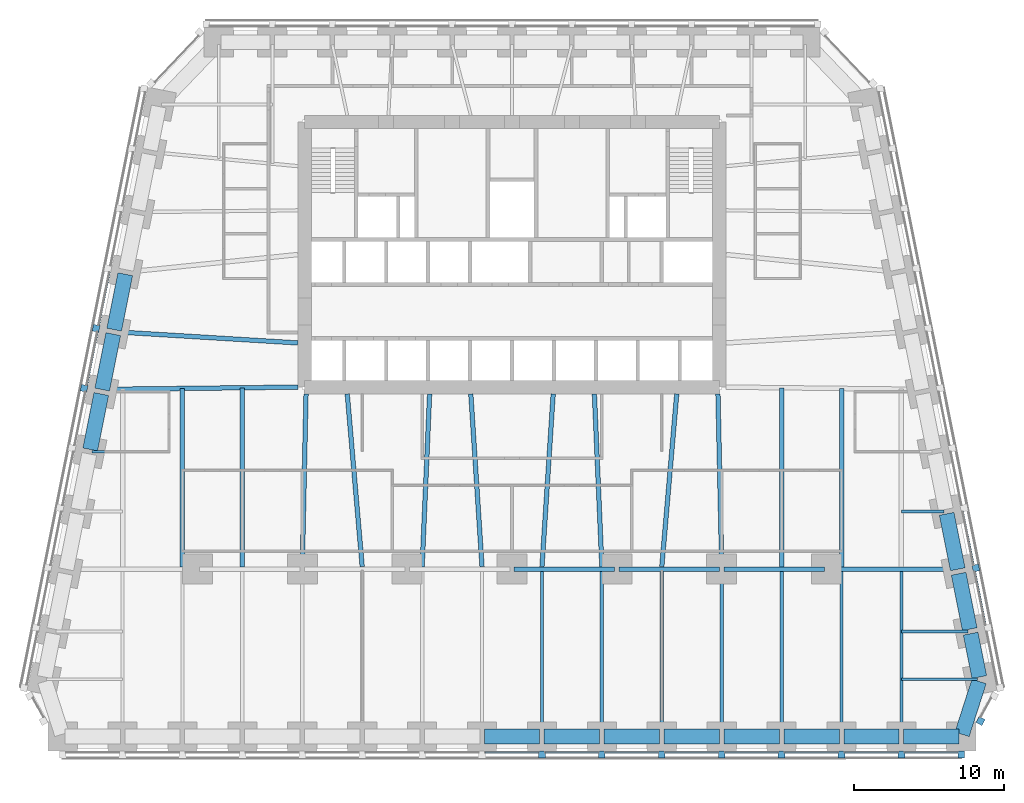
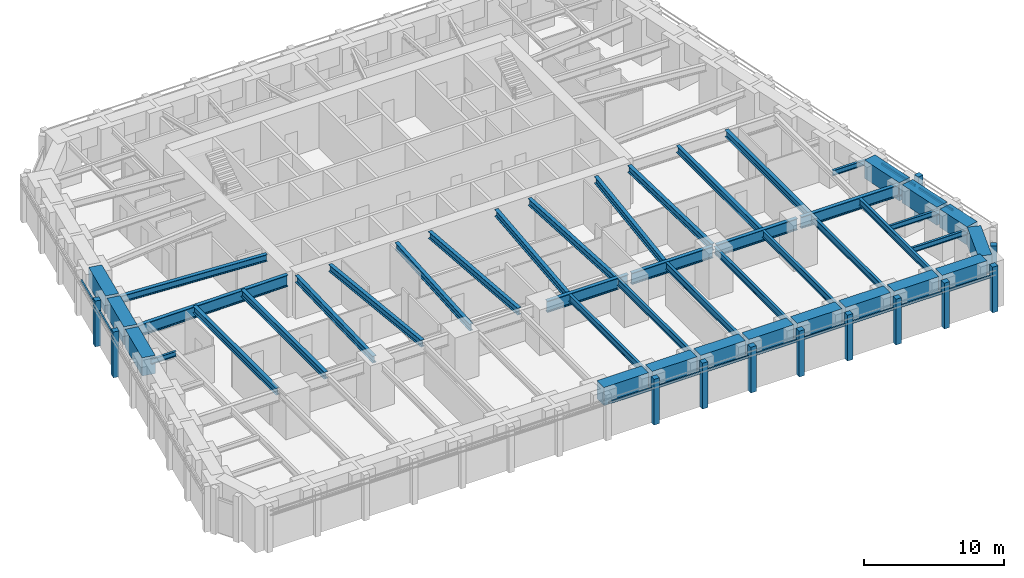
# One storey, part 2 of 10: 44 beams, 24 members, 4 elements without a shape of their own.
"""IFC4 building model written with IfcOpenShell, lengths in metres."""

from ifc_helpers import new_model, si_unit, direction, frame, origin, origin_2d, place, context, subcontext, project, spatial, rectangle, i_section, extrude, material, material_profile, profile_set, type_object, element, aggregate, save


model = new_model("IFC4")

# Units and contexts
model_context = context("Model", 3, precision=1e-05, world=origin(), true_north=direction((0.0, 1.0)))
body_context = subcontext(model_context, "Body", "Model", "MODEL_VIEW")
ifc_project = project(units=[si_unit("LENGTHUNIT", "METRE"), si_unit("AREAUNIT", "SQUARE_METRE"), si_unit("VOLUMEUNIT", "CUBIC_METRE"), si_unit("PLANEANGLEUNIT", "RADIAN"), si_unit("MASSUNIT", "GRAM", prefix="KILO")], contexts=[model_context])

# Site, building, storey
site_placement = place(None, origin())
site = spatial("IfcSite", under=ifc_project, at=site_placement, CompositionType="ELEMENT")
building_placement = place(site_placement, origin())
building = spatial("IfcBuilding", under=site, at=building_placement, Name="Isbrekke Arena Tower", CompositionType="ELEMENT")
storey_placement = place(building_placement, frame((0.0, 0.0, 80.0)))
storey = spatial("IfcBuildingStorey", under=building, at=storey_placement, Name="L17", CompositionType="ELEMENT", Elevation=80.0)

# Beams
ifc_material_1 = material(Name="Steel S355", Category="steel")
ifc_material_profile_1 = material_profile(ifc_material_1, i_section(OverallWidth=0.219970703125, OverallDepth=0.60009765625, WebThickness=0.011962890625, FlangeThickness=0.01904296875, FilletRadius=0.02392578125, at=origin_2d()), Name="IPE 600")
ifc_profile_set_1 = profile_set([ifc_material_profile_1], Name="Steel S355")
beam_type_1 = type_object("IfcBeamType", Name="B1 IPE 600", PredefinedType="BEAM", material=ifc_profile_set_1)
for number, where, z_axis, x_axis, name in (
    (1, (2.0, -17.02490234375, 3.550048828125), (0.0, 1.0, 0.0), (-1.0, 0.0, 0.0), "B1 beam S-S09 L17"),
    (2, (6.0, -17.02490234375, 3.550048828125), (0.0, 1.0, 0.0), (-1.0, 0.0, 0.0), "B1 beam S-S10 L17"),
    (3, (10.0, -17.02490234375, 3.550048828125), (0.0, 1.0, 0.0), (-1.0, 0.0, 0.0), "B1 beam S-S11 L17"),
):
    element("IfcBeam", number, at=place(storey_placement, frame(where, z_axis=z_axis, x_axis=x_axis)), inside=storey, type_object=beam_type_1, Name=name, PredefinedType="BEAM", context=body_context, shape_type="SweptSolid", body=[
        extrude(i_section(OverallWidth=0.219970703125, OverallDepth=0.60009765625, WebThickness=0.011962890625, FlangeThickness=0.01904296875, FilletRadius=0.02392578125, at=origin_2d()), origin(), (0.0, 0.0, 1.0), 10.8740234375),
    ])
beam_1_placement = place(storey_placement, frame((14.0, -17.02490234375, 3.550048828125), z_axis=(0.0, 1.0, 0.0), x_axis=(-1.0, 0.0, 0.0)))
element("IfcBeam", 4, at=beam_1_placement, inside=storey, type_object=beam_type_1, Name="B1 beam S-S12 L17", PredefinedType="BEAM", context=body_context, shape_type="SweptSolid", body=[
    extrude(i_section(OverallWidth=0.219970703125, OverallDepth=0.60009765625, WebThickness=0.011962890625, FlangeThickness=0.01904296875, FilletRadius=0.02392578125, at=origin_2d()), origin(), (0.0, 0.0, 1.0), 10.875),
])
for number, where, z_axis, x_axis, name in (
    (5, (18.0, -17.02490234375, 3.550048828125), (0.0, 1.0, 0.0), (-1.0, 0.0, 0.0), "B1 beam S-S13 L17"),
    (6, (22.0, -17.02490234375, 3.550048828125), (0.0, 1.0, 0.0), (-1.0, 0.0, 0.0), "B1 beam S-S14 L17"),
    (7, (26.0, -17.02490234375, 3.550048828125), (0.0, 1.0, 0.0), (-1.0, 0.0, 0.0), "B1 beam S-S15 L17"),
):
    element("IfcBeam", number, at=place(storey_placement, frame(where, z_axis=z_axis, x_axis=x_axis)), inside=storey, type_object=beam_type_1, Name=name, PredefinedType="BEAM", context=body_context, shape_type="SweptSolid", body=[
        extrude(i_section(OverallWidth=0.219970703125, OverallDepth=0.60009765625, WebThickness=0.011962890625, FlangeThickness=0.01904296875, FilletRadius=0.02392578125, at=origin_2d()), origin(), (0.0, 0.0, 1.0), 10.8740234375),
    ])
ifc_material_2 = material(Name="Steel S355", Category="steel")
ifc_material_profile_2 = material_profile(ifc_material_2, i_section(OverallWidth=0.18994140625, OverallDepth=0.449951171875, WebThickness=0.009521484375, FlangeThickness=0.0146484375, FilletRadius=0.02099609375, at=origin_2d()), Name="IPE 450")
ifc_profile_set_2 = profile_set([ifc_material_profile_2], Name="Steel S355")
beam_type_2 = type_object("IfcBeamType", Name="B2 IPE 450", PredefinedType="BEAM", material=ifc_profile_set_2)
beam_2_placement = place(storey_placement, frame((31.079345703125, -13.352783203125, 3.625), z_axis=(-1.0, 0.0, 0.0), x_axis=(0.0, -1.0, 0.0)))
element("IfcBeam", 8, at=beam_2_placement, inside=storey, type_object=beam_type_2, Name="B2 beam E-E01 L17", PredefinedType="BEAM", context=body_context, shape_type="SweptSolid", body=[
    extrude(i_section(OverallWidth=0.18994140625, OverallDepth=0.449951171875, WebThickness=0.009521484375, FlangeThickness=0.0146484375, FilletRadius=0.02099609375, at=origin_2d()), origin(), (0.0, 0.0, 1.0), 5.079345703125),
])
beam_3_placement = place(storey_placement, frame((30.44091796875, -10.161865234375, 3.625), z_axis=(-1.0, 0.0, 0.0), x_axis=(0.0, -1.0, 0.0)))
element("IfcBeam", 9, at=beam_3_placement, inside=storey, type_object=beam_type_2, Name="B2 beam E-E02 L17", PredefinedType="BEAM", context=body_context, shape_type="SweptSolid", body=[
    extrude(i_section(OverallWidth=0.18994140625, OverallDepth=0.449951171875, WebThickness=0.009521484375, FlangeThickness=0.0146484375, FilletRadius=0.02099609375, at=origin_2d()), origin(), (0.0, 0.0, 1.0), 4.44091796875),
])
beam_4_placement = place(storey_placement, frame((28.841064453125, -2.161865234375, 3.625), z_axis=(-1.0, 0.0, 0.0), x_axis=(0.0, -1.0, 0.0)))
element("IfcBeam", 10, at=beam_4_placement, inside=storey, type_object=beam_type_2, Name="B2 beam E-E04 L17", PredefinedType="BEAM", context=body_context, shape_type="SweptSolid", body=[
    extrude(i_section(OverallWidth=0.18994140625, OverallDepth=0.449951171875, WebThickness=0.009521484375, FlangeThickness=0.0146484375, FilletRadius=0.02099609375, at=origin_2d()), origin(), (0.0, 0.0, 1.0), 2.841064453125),
])
beam_5_placement = place(storey_placement, frame((-28.041015625, 1.838134765625, 3.625), z_axis=(1.0, 0.0, 0.0), x_axis=(0.0, 1.0, 0.0)))
element("IfcBeam", 11, at=beam_5_placement, inside=storey, type_object=beam_type_2, Name="B2 beam E-W07 L17", PredefinedType="BEAM", context=body_context, shape_type="SweptSolid", body=[
    extrude(i_section(OverallWidth=0.18994140625, OverallDepth=0.449951171875, WebThickness=0.009521484375, FlangeThickness=0.0146484375, FilletRadius=0.02099609375, at=origin_2d()), origin(), (0.0, 0.0, 1.0), 2.041015625),
])
ifc_material_3 = material(Name="Steel S355", Category="steel")
ifc_material_profile_3 = material_profile(ifc_material_3, i_section(OverallWidth=0.300048828125, OverallDepth=0.60009765625, WebThickness=0.015380859375, FlangeThickness=0.030029296875, FilletRadius=0.027099609375, at=origin_2d()), Name="HEB 600")
ifc_profile_set_3 = profile_set([ifc_material_profile_3], Name="Steel S355")
beam_type_3 = type_object("IfcBeamType", Name="B7 HEB 600", PredefinedType="BEAM", material=ifc_profile_set_3)
beam_6_placement = place(storey_placement, frame((-22.0, -5.84912109375, 3.550048828125), z_axis=(0.0, 1.0, 0.0), x_axis=(-1.0, 0.0, 0.0)))
element("IfcBeam", 12, at=beam_6_placement, inside=storey, type_object=beam_type_3, Name="B7 beam C-M02 L17", PredefinedType="BEAM", context=body_context, shape_type="SweptSolid", body=[
    extrude(i_section(OverallWidth=0.300048828125, OverallDepth=0.60009765625, WebThickness=0.015380859375, FlangeThickness=0.030029296875, FilletRadius=0.027099609375, at=origin_2d()), origin(), (0.0, 0.0, 1.0), 11.910888671875),
])
beam_7_placement = place(storey_placement, frame((-18.0, -5.84912109375, 3.550048828125), z_axis=(0.0, 1.0, 0.0), x_axis=(-1.0, 0.0, 0.0)))
element("IfcBeam", 13, at=beam_7_placement, inside=storey, type_object=beam_type_3, Name="B7 beam C-M03 L17", PredefinedType="BEAM", context=body_context, shape_type="SweptSolid", body=[
    extrude(i_section(OverallWidth=0.300048828125, OverallDepth=0.60009765625, WebThickness=0.015380859375, FlangeThickness=0.030029296875, FilletRadius=0.027099609375, at=origin_2d()), origin(), (0.0, 0.0, 1.0), 11.956787109375),
])
beam_8_placement = place(storey_placement, frame((-14.0, -5.8466796875, 3.550048828125), z_axis=(0.021646264273, 0.999765692171, 0.0), x_axis=(-0.999765692171, 0.021646264273, 0.0)))
element("IfcBeam", 14, at=beam_8_placement, inside=storey, type_object=beam_type_3, Name="B7 beam C-M04 L17", PredefinedType="BEAM", context=body_context, shape_type="SweptSolid", body=[
    extrude(i_section(OverallWidth=0.300048828125, OverallDepth=0.60009765625, WebThickness=0.015380859375, FlangeThickness=0.030029296875, FilletRadius=0.027099609375, at=origin_2d()), origin(), (0.0, 0.0, 1.0), 11.54931640625),
])
beam_9_placement = place(storey_placement, frame((-10.001220703125, -5.836181640625, 3.550048828125), z_axis=(-0.086255671377, 0.996273034442, 0.0), x_axis=(-0.996273034442, -0.086255671377, 0.0)))
element("IfcBeam", 15, at=beam_9_placement, inside=storey, type_object=beam_type_3, Name="B7 beam C-M05 L17", PredefinedType="BEAM", context=body_context, shape_type="SweptSolid", body=[
    extrude(i_section(OverallWidth=0.300048828125, OverallDepth=0.60009765625, WebThickness=0.015380859375, FlangeThickness=0.030029296875, FilletRadius=0.027099609375, at=origin_2d()), origin(), (0.0, 0.0, 1.0), 11.579345703125),
])
beam_10_placement = place(storey_placement, frame((-5.999755859375, -5.842529296875, 3.550048828125), z_axis=(0.04325656756, 0.99906399663, 0.0), x_axis=(-0.99906399663, 0.04325656756, 0.0)))
element("IfcBeam", 16, at=beam_10_placement, inside=storey, type_object=beam_type_3, Name="B7 beam C-M06 L17", PredefinedType="BEAM", context=body_context, shape_type="SweptSolid", body=[
    extrude(i_section(OverallWidth=0.300048828125, OverallDepth=0.60009765625, WebThickness=0.015380859375, FlangeThickness=0.030029296875, FilletRadius=0.027099609375, at=origin_2d()), origin(), (0.0, 0.0, 1.0), 11.55322265625),
])
for number, where, z_axis, x_axis, name in (
    (17, (-2.000732421875, -5.83935546875, 3.550048828125), (-0.064795318476, 0.997898575359, 0.0), (-0.997898575359, -0.064795318476, 0.0), "B7 beam C-M07 L17"),
    (18, (2.000732421875, -5.83935546875, 3.550048828125), (0.064795318476, 0.997898575359, 0.0), (-0.997898575359, 0.064795318476, 0.0), "B7 beam C-M08 L17"),
):
    element("IfcBeam", number, at=place(storey_placement, frame(where, z_axis=z_axis, x_axis=x_axis)), inside=storey, type_object=beam_type_3, Name=name, PredefinedType="BEAM", context=body_context, shape_type="SweptSolid", body=[
        extrude(i_section(OverallWidth=0.300048828125, OverallDepth=0.60009765625, WebThickness=0.015380859375, FlangeThickness=0.030029296875, FilletRadius=0.027099609375, at=origin_2d()), origin(), (0.0, 0.0, 1.0), 11.563720703125),
    ])
beam_11_placement = place(storey_placement, frame((5.999755859375, -5.842529296875, 3.550048828125), z_axis=(-0.04325656756, 0.99906399663, 0.0), x_axis=(-0.99906399663, -0.04325656756, 0.0)))
element("IfcBeam", 19, at=beam_11_placement, inside=storey, type_object=beam_type_3, Name="B7 beam C-M09 L17", PredefinedType="BEAM", context=body_context, shape_type="SweptSolid", body=[
    extrude(i_section(OverallWidth=0.300048828125, OverallDepth=0.60009765625, WebThickness=0.015380859375, FlangeThickness=0.030029296875, FilletRadius=0.027099609375, at=origin_2d()), origin(), (0.0, 0.0, 1.0), 11.55322265625),
])
beam_12_placement = place(storey_placement, frame((10.001220703125, -5.836181640625, 3.550048828125), z_axis=(0.086255671377, 0.996273034442, 0.0), x_axis=(-0.996273034442, 0.086255671377, 0.0)))
element("IfcBeam", 20, at=beam_12_placement, inside=storey, type_object=beam_type_3, Name="B7 beam C-M10 L17", PredefinedType="BEAM", context=body_context, shape_type="SweptSolid", body=[
    extrude(i_section(OverallWidth=0.300048828125, OverallDepth=0.60009765625, WebThickness=0.015380859375, FlangeThickness=0.030029296875, FilletRadius=0.027099609375, at=origin_2d()), origin(), (0.0, 0.0, 1.0), 11.579345703125),
])
beam_13_placement = place(storey_placement, frame((14.0, -5.8466796875, 3.550048828125), z_axis=(-0.021646264273, 0.999765692171, 0.0), x_axis=(-0.999765692171, -0.021646264273, 0.0)))
element("IfcBeam", 21, at=beam_13_placement, inside=storey, type_object=beam_type_3, Name="B7 beam C-M11 L17", PredefinedType="BEAM", context=body_context, shape_type="SweptSolid", body=[
    extrude(i_section(OverallWidth=0.300048828125, OverallDepth=0.60009765625, WebThickness=0.015380859375, FlangeThickness=0.030029296875, FilletRadius=0.027099609375, at=origin_2d()), origin(), (0.0, 0.0, 1.0), 11.54931640625),
])
beam_14_placement = place(storey_placement, frame((18.0, -5.84912109375, 3.550048828125), z_axis=(0.0, 1.0, 0.0), x_axis=(-1.0, 0.0, 0.0)))
element("IfcBeam", 22, at=beam_14_placement, inside=storey, type_object=beam_type_3, Name="B7 beam C-M12 L17", PredefinedType="BEAM", context=body_context, shape_type="SweptSolid", body=[
    extrude(i_section(OverallWidth=0.300048828125, OverallDepth=0.60009765625, WebThickness=0.015380859375, FlangeThickness=0.030029296875, FilletRadius=0.027099609375, at=origin_2d()), origin(), (0.0, 0.0, 1.0), 11.956787109375),
])
beam_15_placement = place(storey_placement, frame((22.0, -5.84912109375, 3.550048828125), z_axis=(0.0, 1.0, 0.0), x_axis=(-1.0, 0.0, 0.0)))
element("IfcBeam", 23, at=beam_15_placement, inside=storey, type_object=beam_type_3, Name="B7 beam C-M13 L17", PredefinedType="BEAM", context=body_context, shape_type="SweptSolid", body=[
    extrude(i_section(OverallWidth=0.300048828125, OverallDepth=0.60009765625, WebThickness=0.015380859375, FlangeThickness=0.030029296875, FilletRadius=0.027099609375, at=origin_2d()), origin(), (0.0, 0.0, 1.0), 11.910888671875),
])
beam_16_placement = place(storey_placement, frame((-26.431884765625, 9.837646484375, 3.550048828125), z_axis=(0.998157121592, -0.060682457223, 0.0), x_axis=(0.060682457223, 0.998157121592, 0.0)))
element("IfcBeam", 24, at=beam_16_placement, inside=storey, type_object=beam_type_3, Name="B7 beam E-W05 L17", PredefinedType="BEAM", context=body_context, shape_type="SweptSolid", body=[
    extrude(i_section(OverallWidth=0.300048828125, OverallDepth=0.60009765625, WebThickness=0.015380859375, FlangeThickness=0.030029296875, FilletRadius=0.027099609375, at=origin_2d()), origin(), (0.0, 0.0, 1.0), 12.154296875),
])

# Curtain wall, members
ifc_material_4 = material(Name="Glazed aluminium curtain wall", Category="aluminium")
curtain_wall_type = type_object("IfcCurtainWallType", Name="CWL TOWER CURTAIN WALL LOW ZONE", PredefinedType="USERDEFINED", material=ifc_material_4)
curtain_wall_1_placement = place(storey_placement, origin())
curtain_wall_1 = element("IfcCurtainWall", 25, at=curtain_wall_1_placement, inside=storey, type_object=curtain_wall_type, Name="CWL curtain wall L17-S", ObjectType="TOWER CURTAIN WALL LOW ZONE", PredefinedType="USERDEFINED")
ifc_material_5 = material(Name="Aluminium mullion, pale brick slip cladding", Category="masonry")
ifc_material_profile_4 = material_profile(ifc_material_5, rectangle(XDim=0.449951171875, YDim=0.449951171875, at=origin_2d()), Name="PIER 450X450")
ifc_profile_set_4 = profile_set([ifc_material_profile_4], Name="Aluminium mullion, pale brick slip cladding")
member_type_1 = type_object("IfcMemberType", Name="CWL-M PIER MULLION 450 x 450", PredefinedType="MULLION", material=ifc_profile_set_4)
member_1_placement = place(storey_placement, frame((2.0, -18.375, 0.0), z_axis=(0.0, 0.0, 1.0), x_axis=(1.0, 0.0, 0.0)))
member_1 = element("IfcMember", 26, at=member_1_placement, type_object=member_type_1, Name="CWL-M mullion 9", PredefinedType="MULLION", context=body_context, shape_type="SweptSolid", body=[
    extrude(rectangle(XDim=0.449951171875, YDim=0.449951171875, at=origin_2d()), origin(), (0.0, 0.0, 1.0), 4.0),
])
member_2_placement = place(storey_placement, frame((6.0, -18.375, 0.0), z_axis=(0.0, 0.0, 1.0), x_axis=(1.0, 0.0, 0.0)))
member_2 = element("IfcMember", 27, at=member_2_placement, type_object=member_type_1, Name="CWL-M mullion 10", PredefinedType="MULLION", context=body_context, shape_type="SweptSolid", body=[
    extrude(rectangle(XDim=0.449951171875, YDim=0.449951171875, at=origin_2d()), origin(), (0.0, 0.0, 1.0), 4.0),
])
member_3_placement = place(storey_placement, frame((10.0, -18.375, 0.0), z_axis=(0.0, 0.0, 1.0), x_axis=(1.0, 0.0, 0.0)))
member_3 = element("IfcMember", 28, at=member_3_placement, type_object=member_type_1, Name="CWL-M mullion 11", PredefinedType="MULLION", context=body_context, shape_type="SweptSolid", body=[
    extrude(rectangle(XDim=0.449951171875, YDim=0.449951171875, at=origin_2d()), origin(), (0.0, 0.0, 1.0), 4.0),
])
member_4_placement = place(storey_placement, frame((14.0, -18.375, 0.0), z_axis=(0.0, 0.0, 1.0), x_axis=(1.0, 0.0, 0.0)))
member_4 = element("IfcMember", 29, at=member_4_placement, type_object=member_type_1, Name="CWL-M mullion 12", PredefinedType="MULLION", context=body_context, shape_type="SweptSolid", body=[
    extrude(rectangle(XDim=0.449951171875, YDim=0.449951171875, at=origin_2d()), origin(), (0.0, 0.0, 1.0), 4.0),
])
member_5_placement = place(storey_placement, frame((18.0, -18.375, 0.0), z_axis=(0.0, 0.0, 1.0), x_axis=(1.0, 0.0, 0.0)))
member_5 = element("IfcMember", 30, at=member_5_placement, type_object=member_type_1, Name="CWL-M mullion 13", PredefinedType="MULLION", context=body_context, shape_type="SweptSolid", body=[
    extrude(rectangle(XDim=0.449951171875, YDim=0.449951171875, at=origin_2d()), origin(), (0.0, 0.0, 1.0), 4.0),
])
member_6_placement = place(storey_placement, frame((22.0, -18.375, 0.0), z_axis=(0.0, 0.0, 1.0), x_axis=(1.0, 0.0, 0.0)))
member_6 = element("IfcMember", 31, at=member_6_placement, type_object=member_type_1, Name="CWL-M mullion 14", PredefinedType="MULLION", context=body_context, shape_type="SweptSolid", body=[
    extrude(rectangle(XDim=0.449951171875, YDim=0.449951171875, at=origin_2d()), origin(), (0.0, 0.0, 1.0), 4.0),
])
member_7_placement = place(storey_placement, frame((26.0, -18.375, 0.0), z_axis=(0.0, 0.0, 1.0), x_axis=(1.0, 0.0, 0.0)))
member_7 = element("IfcMember", 32, at=member_7_placement, type_object=member_type_1, Name="CWL-M mullion 15", PredefinedType="MULLION", context=body_context, shape_type="SweptSolid", body=[
    extrude(rectangle(XDim=0.449951171875, YDim=0.449951171875, at=origin_2d()), origin(), (0.0, 0.0, 1.0), 4.0),
])
member_8_placement = place(storey_placement, frame((30.0, -18.375, 0.0), z_axis=(0.0, 0.0, 1.0), x_axis=(1.0, 0.0, 0.0)))
member_8 = element("IfcMember", 33, at=member_8_placement, type_object=member_type_1, Name="CWL-M mullion 16", PredefinedType="MULLION", context=body_context, shape_type="SweptSolid", body=[
    extrude(rectangle(XDim=0.449951171875, YDim=0.449951171875, at=origin_2d()), origin(), (0.0, 0.0, 1.0), 4.0),
])

# Curtain wall, member
curtain_wall_2_placement = place(storey_placement, origin())
curtain_wall_2 = element("IfcCurtainWall", 34, at=curtain_wall_2_placement, inside=storey, type_object=curtain_wall_type, Name="CWL curtain wall L17-SE", ObjectType="TOWER CURTAIN WALL LOW ZONE", PredefinedType="USERDEFINED")
member_9_placement = place(storey_placement, frame((31.2783203125, -16.142822265625, 0.0), z_axis=(0.0, 0.0, 1.0), x_axis=(0.481918749773, 0.876215908676, 0.0)))
member_9 = element("IfcMember", 35, at=member_9_placement, type_object=member_type_1, Name="CWL-M mullion 1", PredefinedType="MULLION", context=body_context, shape_type="SweptSolid", body=[
    extrude(rectangle(XDim=0.449951171875, YDim=0.449951171875, at=origin_2d()), origin(), (0.0, 0.0, 1.0), 4.0),
])
aggregate(curtain_wall_2, [member_9])

curtain_wall_3_placement = place(storey_placement, origin())
curtain_wall_3 = element("IfcCurtainWall", 36, at=curtain_wall_3_placement, inside=storey, type_object=curtain_wall_type, Name="CWL curtain wall L17-E", ObjectType="TOWER CURTAIN WALL LOW ZONE", PredefinedType="USERDEFINED")
member_10_placement = place(storey_placement, frame((30.9677734375, -5.926513671875, 0.0), z_axis=(0.0, 0.0, 1.0), x_axis=(-0.196116135138, 0.980580675691, 0.0)))
member_10 = element("IfcMember", 37, at=member_10_placement, type_object=member_type_1, Name="CWL-M mullion 3", PredefinedType="MULLION", context=body_context, shape_type="SweptSolid", body=[
    extrude(rectangle(XDim=0.449951171875, YDim=0.449951171875, at=origin_2d()), origin(), (0.0, 0.0, 1.0), 4.0),
])

# Curtain wall, members
curtain_wall_4_placement = place(storey_placement, origin())
curtain_wall_4 = element("IfcCurtainWall", 38, at=curtain_wall_4_placement, inside=storey, type_object=curtain_wall_type, Name="CWL curtain wall L17-W", ObjectType="TOWER CURTAIN WALL LOW ZONE", PredefinedType="USERDEFINED")
member_11_placement = place(storey_placement, frame((-27.767822265625, 10.073486328125, 0.0), z_axis=(0.0, 0.0, 1.0), x_axis=(-0.196116135138, -0.980580675691, 0.0)))
member_11 = element("IfcMember", 39, at=member_11_placement, type_object=member_type_1, Name="CWL-M mullion 5", PredefinedType="MULLION", context=body_context, shape_type="SweptSolid", body=[
    extrude(rectangle(XDim=0.449951171875, YDim=0.449951171875, at=origin_2d()), origin(), (0.0, 0.0, 1.0), 4.0),
])
member_12_placement = place(storey_placement, frame((-28.567626953125, 6.073486328125, 0.0), z_axis=(0.0, 0.0, 1.0), x_axis=(-0.196116135138, -0.980580675691, 0.0)))
member_12 = element("IfcMember", 40, at=member_12_placement, type_object=member_type_1, Name="CWL-M mullion 6", PredefinedType="MULLION", context=body_context, shape_type="SweptSolid", body=[
    extrude(rectangle(XDim=0.449951171875, YDim=0.449951171875, at=origin_2d()), origin(), (0.0, 0.0, 1.0), 4.0),
])

# Member
ifc_material_6 = material(Name="Aluminium transom", Category="aluminium")
ifc_material_profile_5 = material_profile(ifc_material_6, rectangle(XDim=0.1201171875, YDim=0.199951171875, at=origin_2d()), Name="TRANSOM 120X200")
ifc_profile_set_5 = profile_set([ifc_material_profile_5], Name="Aluminium transom")
member_type_2 = type_object("IfcMemberType", Name="CWL-T TRANSOM 120 x 200", PredefinedType="USERDEFINED", material=ifc_profile_set_5)
member_13_placement = place(storey_placement, frame((-1.77490234375, -18.25, 3.0), z_axis=(1.0, 0.0, 0.0), x_axis=(0.0, 1.0, 0.0)))
member_13 = element("IfcMember", 41, at=member_13_placement, type_object=member_type_2, Name="CWL-T transom 8", ObjectType="TRANSOM", PredefinedType="USERDEFINED", context=body_context, shape_type="SweptSolid", body=[
    extrude(rectangle(XDim=0.1201171875, YDim=0.199951171875, at=origin_2d()), origin(), (0.0, 0.0, 1.0), 3.5498046875),
])

member_14_placement = place(storey_placement, frame((2.22509765625, -18.25, 3.0), z_axis=(1.0, 0.0, 0.0), x_axis=(0.0, 1.0, 0.0)))
member_14 = element("IfcMember", 42, at=member_14_placement, type_object=member_type_2, Name="CWL-T transom 9", ObjectType="TRANSOM", PredefinedType="USERDEFINED", context=body_context, shape_type="SweptSolid", body=[
    extrude(rectangle(XDim=0.1201171875, YDim=0.199951171875, at=origin_2d()), origin(), (0.0, 0.0, 1.0), 3.5498046875),
])

member_15_placement = place(storey_placement, frame((6.22509765625, -18.25, 3.0), z_axis=(1.0, 0.0, 0.0), x_axis=(0.0, 1.0, 0.0)))
member_15 = element("IfcMember", 43, at=member_15_placement, type_object=member_type_2, Name="CWL-T transom 10", ObjectType="TRANSOM", PredefinedType="USERDEFINED", context=body_context, shape_type="SweptSolid", body=[
    extrude(rectangle(XDim=0.1201171875, YDim=0.199951171875, at=origin_2d()), origin(), (0.0, 0.0, 1.0), 3.5498046875),
])

member_16_placement = place(storey_placement, frame((10.22509765625, -18.25, 3.0), z_axis=(1.0, 0.0, 0.0), x_axis=(0.0, 1.0, 0.0)))
member_16 = element("IfcMember", 44, at=member_16_placement, type_object=member_type_2, Name="CWL-T transom 11", ObjectType="TRANSOM", PredefinedType="USERDEFINED", context=body_context, shape_type="SweptSolid", body=[
    extrude(rectangle(XDim=0.1201171875, YDim=0.199951171875, at=origin_2d()), origin(), (0.0, 0.0, 1.0), 3.5498046875),
])

member_17_placement = place(storey_placement, frame((14.22509765625, -18.25, 3.0), z_axis=(1.0, 0.0, 0.0), x_axis=(0.0, 1.0, 0.0)))
member_17 = element("IfcMember", 45, at=member_17_placement, type_object=member_type_2, Name="CWL-T transom 12", ObjectType="TRANSOM", PredefinedType="USERDEFINED", context=body_context, shape_type="SweptSolid", body=[
    extrude(rectangle(XDim=0.1201171875, YDim=0.199951171875, at=origin_2d()), origin(), (0.0, 0.0, 1.0), 3.5498046875),
])

member_18_placement = place(storey_placement, frame((18.22509765625, -18.25, 3.0), z_axis=(1.0, 0.0, 0.0), x_axis=(0.0, 1.0, 0.0)))
member_18 = element("IfcMember", 46, at=member_18_placement, type_object=member_type_2, Name="CWL-T transom 13", ObjectType="TRANSOM", PredefinedType="USERDEFINED", context=body_context, shape_type="SweptSolid", body=[
    extrude(rectangle(XDim=0.1201171875, YDim=0.199951171875, at=origin_2d()), origin(), (0.0, 0.0, 1.0), 3.5498046875),
])

member_19_placement = place(storey_placement, frame((22.22509765625, -18.25, 3.0), z_axis=(1.0, 0.0, 0.0), x_axis=(0.0, 1.0, 0.0)))
member_19 = element("IfcMember", 47, at=member_19_placement, type_object=member_type_2, Name="CWL-T transom 14", ObjectType="TRANSOM", PredefinedType="USERDEFINED", context=body_context, shape_type="SweptSolid", body=[
    extrude(rectangle(XDim=0.1201171875, YDim=0.199951171875, at=origin_2d()), origin(), (0.0, 0.0, 1.0), 3.5498046875),
])

member_20_placement = place(storey_placement, frame((26.22509765625, -18.25, 3.0), z_axis=(1.0, 0.0, 0.0), x_axis=(0.0, 1.0, 0.0)))
member_20 = element("IfcMember", 48, at=member_20_placement, type_object=member_type_2, Name="CWL-T transom 15", ObjectType="TRANSOM", PredefinedType="USERDEFINED", context=body_context, shape_type="SweptSolid", body=[
    extrude(rectangle(XDim=0.1201171875, YDim=0.199951171875, at=origin_2d()), origin(), (0.0, 0.0, 1.0), 3.5498046875),
])

aggregate(curtain_wall_1, [member_1, member_2, member_3, member_4, member_5, member_6, member_7, member_8, member_13, member_14, member_15, member_16, member_17, member_18, member_19, member_20])

member_21_placement = place(storey_placement, frame((31.60107421875, -9.730224609375, 3.0), z_axis=(-0.196167883278, 0.980570324643, 0.0), x_axis=(-0.980570324643, -0.196167883278, 0.0)))
member_21 = element("IfcMember", 49, at=member_21_placement, type_object=member_type_2, Name="CWL-T transom 2", ObjectType="TRANSOM", PredefinedType="USERDEFINED", context=body_context, shape_type="SweptSolid", body=[
    extrude(rectangle(XDim=0.1201171875, YDim=0.199951171875, at=origin_2d()), origin(), (0.0, 0.0, 1.0), 3.629150390625),
])

member_22_placement = place(storey_placement, frame((30.801025390625, -5.730224609375, 3.0), z_axis=(-0.196103197847, 0.98058326306, 0.0), x_axis=(-0.98058326306, -0.196103197847, 0.0)))
member_22 = element("IfcMember", 50, at=member_22_placement, type_object=member_type_2, Name="CWL-T transom 3", ObjectType="TRANSOM", PredefinedType="USERDEFINED", context=body_context, shape_type="SweptSolid", body=[
    extrude(rectangle(XDim=0.1201171875, YDim=0.199951171875, at=origin_2d()), origin(), (0.0, 0.0, 1.0), 3.629150390625),
])

aggregate(curtain_wall_3, [member_10, member_21, member_22])

member_23_placement = place(storey_placement, frame((-26.88916015625, 13.828369140625, 3.0), z_axis=(-0.196167883278, -0.980570324643, 0.0), x_axis=(0.980570324643, -0.196167883278, 0.0)))
member_23 = element("IfcMember", 51, at=member_23_placement, type_object=member_type_2, Name="CWL-T transom 4", ObjectType="TRANSOM", PredefinedType="USERDEFINED", context=body_context, shape_type="SweptSolid", body=[
    extrude(rectangle(XDim=0.1201171875, YDim=0.199951171875, at=origin_2d()), origin(), (0.0, 0.0, 1.0), 3.629150390625),
])

member_24_placement = place(storey_placement, frame((-27.689208984375, 9.828369140625, 3.0), z_axis=(-0.196167883278, -0.980570324643, 0.0), x_axis=(0.980570324643, -0.196167883278, 0.0)))
member_24 = element("IfcMember", 52, at=member_24_placement, type_object=member_type_2, Name="CWL-T transom 5", ObjectType="TRANSOM", PredefinedType="USERDEFINED", context=body_context, shape_type="SweptSolid", body=[
    extrude(rectangle(XDim=0.1201171875, YDim=0.199951171875, at=origin_2d()), origin(), (0.0, 0.0, 1.0), 3.629150390625),
])

aggregate(curtain_wall_4, [member_11, member_12, member_23, member_24])

# Beams
ifc_material_7 = material(Name="Steel S355", Category="steel")
ifc_material_profile_6 = material_profile(ifc_material_7, i_section(OverallWidth=0.302001953125, OverallDepth=1.008056640625, WebThickness=0.02099609375, FlangeThickness=0.0400390625, FilletRadius=0.030029296875, at=origin_2d()), Name="HEM 1000")
ifc_profile_set_6 = profile_set([ifc_material_profile_6], Name="Steel S355")
beam_type_4 = type_object("IfcBeamType", Name="G1 HEM 1000", PredefinedType="BEAM", material=ifc_profile_set_6)
for number, where, z_axis, x_axis, name in (
    (53, (0.14990234375, -6.0, 3.345947265625), (1.0, 0.0, 0.0), (0.0, 1.0, 0.0), "G1 beam G1-05 L17"),
    (54, (7.14990234375, -6.0, 3.345947265625), (1.0, 0.0, 0.0), (0.0, 1.0, 0.0), "G1 beam G1-06 L17"),
    (55, (14.14990234375, -6.0, 3.345947265625), (1.0, 0.0, 0.0), (0.0, 1.0, 0.0), "G1 beam G1-07 L17"),
):
    element("IfcBeam", number, at=place(storey_placement, frame(where, z_axis=z_axis, x_axis=x_axis)), inside=storey, type_object=beam_type_4, Name=name, PredefinedType="BEAM", context=body_context, shape_type="SweptSolid", body=[
        extrude(i_section(OverallWidth=0.302001953125, OverallDepth=1.008056640625, WebThickness=0.02099609375, FlangeThickness=0.0400390625, FilletRadius=0.030029296875, at=origin_2d()), origin(), (0.0, 0.0, 1.0), 6.7001953125),
    ])
beam_17_placement = place(storey_placement, frame((21.14990234375, -6.0, 3.345947265625), z_axis=(1.0, 0.0, 0.0), x_axis=(0.0, 1.0, 0.0)))
element("IfcBeam", 56, at=beam_17_placement, inside=storey, type_object=beam_type_4, Name="G1 beam G1-08 L17", PredefinedType="BEAM", context=body_context, shape_type="SweptSolid", body=[
    extrude(i_section(OverallWidth=0.302001953125, OverallDepth=1.008056640625, WebThickness=0.02099609375, FlangeThickness=0.0400390625, FilletRadius=0.030029296875, at=origin_2d()), origin(), (0.0, 0.0, 1.0), 8.64111328125),
])
ifc_material_8 = material(Name="Steel S355", Category="steel")
ifc_material_profile_7 = material_profile(ifc_material_8, i_section(OverallWidth=0.302001953125, OverallDepth=1.008056640625, WebThickness=0.02099609375, FlangeThickness=0.0400390625, FilletRadius=0.030029296875, at=origin_2d()), Name="HEM 1000")
ifc_profile_set_7 = profile_set([ifc_material_profile_7], Name="Steel S355")
beam_type_5 = type_object("IfcBeamType", Name="G2 HEM 1000", PredefinedType="BEAM", material=ifc_profile_set_7)
beam_18_placement = place(storey_placement, frame((-14.300048828125, 6.14990234375, 3.345947265625), z_axis=(-0.999934429634, -0.011451481699, 0.0), x_axis=(0.011451481699, -0.999934429634, 0.0)))
element("IfcBeam", 57, at=beam_18_placement, inside=storey, type_object=beam_type_5, Name="G2 beam G2-W L17", PredefinedType="BEAM", context=body_context, shape_type="SweptSolid", body=[
    extrude(i_section(OverallWidth=0.302001953125, OverallDepth=1.008056640625, WebThickness=0.02099609375, FlangeThickness=0.0400390625, FilletRadius=0.030029296875, at=origin_2d()), origin(), (0.0, 0.0, 1.0), 13.09033203125),
])
ifc_material_9 = material(Name="Concrete B90 (C90/105)", Category="concrete")
ifc_material_profile_8 = material_profile(ifc_material_9, rectangle(XDim=1.0, YDim=1.60009765625, at=origin_2d()), Name="RC 1000x1600")
ifc_profile_set_8 = profile_set([ifc_material_profile_8], Name="Concrete B90 (C90/105)")
beam_type_6 = type_object("IfcBeamType", Name="SB1 RC 1000 x 1600", PredefinedType="SPANDREL", material=ifc_profile_set_8)
for number, where, z_axis, x_axis, name in (
    (58, (-1.85009765625, -17.175048828125, 3.199951171875), (1.0, 0.0, 0.0), (0.0, 1.0, 0.0), "SB1 spandrel S08-S09 L17"),
    (59, (2.14990234375, -17.175048828125, 3.199951171875), (1.0, 0.0, 0.0), (0.0, 1.0, 0.0), "SB1 spandrel S09-S10 L17"),
    (60, (6.14990234375, -17.175048828125, 3.199951171875), (1.0, 0.0, 0.0), (0.0, 1.0, 0.0), "SB1 spandrel S10-S11 L17"),
    (61, (10.14990234375, -17.175048828125, 3.199951171875), (1.0, 0.0, 0.0), (0.0, 1.0, 0.0), "SB1 spandrel S11-S12 L17"),
    (62, (14.14990234375, -17.175048828125, 3.199951171875), (1.0, 0.0, 0.0), (0.0, 1.0, 0.0), "SB1 spandrel S12-S13 L17"),
    (63, (18.14990234375, -17.175048828125, 3.199951171875), (1.0, 0.0, 0.0), (0.0, 1.0, 0.0), "SB1 spandrel S13-S14 L17"),
    (64, (22.14990234375, -17.175048828125, 3.199951171875), (1.0, 0.0, 0.0), (0.0, 1.0, 0.0), "SB1 spandrel S14-S15 L17"),
    (65, (26.14990234375, -17.175048828125, 3.199951171875), (1.0, 0.0, 0.0), (0.0, 1.0, 0.0), "SB1 spandrel S15-S16 L17"),
):
    element("IfcBeam", number, at=place(storey_placement, frame(where, z_axis=z_axis, x_axis=x_axis)), inside=storey, type_object=beam_type_6, Name=name, PredefinedType="SPANDREL", context=body_context, shape_type="SweptSolid", body=[
        extrude(rectangle(XDim=1.0, YDim=1.60009765625, at=origin_2d()), origin(), (0.0, 0.0, 1.0), 3.7001953125),
    ])
beam_19_placement = place(storey_placement, frame((30.0458984375, -17.0322265625, 3.199951171875), z_axis=(0.306175101476, 0.951975213562, 0.0), x_axis=(-0.951975213562, 0.306175101476, 0.0)))
element("IfcBeam", 66, at=beam_19_placement, inside=storey, type_object=beam_type_6, Name="SB1 spandrel S16-E01 L17", PredefinedType="SPANDREL", context=body_context, shape_type="SweptSolid", body=[
    extrude(rectangle(XDim=1.0, YDim=1.60009765625, at=origin_2d()), origin(), (0.0, 0.0, 1.0), 3.715087890625),
])
beam_20_placement = place(storey_placement, frame((31.19970703125, -13.205810546875, 3.199951171875), z_axis=(-0.196100243168, 0.980583853951, 0.0), x_axis=(-0.980583853951, -0.196100243168, 0.0)))
element("IfcBeam", 67, at=beam_20_placement, inside=storey, type_object=beam_type_6, Name="SB1 spandrel E01-E02 L17", PredefinedType="SPANDREL", context=body_context, shape_type="SweptSolid", body=[
    extrude(rectangle(XDim=1.0, YDim=1.60009765625, at=origin_2d()), origin(), (0.0, 0.0, 1.0), 2.954345703125),
])
beam_21_placement = place(storey_placement, frame((30.5615234375, -10.0146484375, 3.199951171875), z_axis=(-0.1960664412, 0.980590613169, 0.0), x_axis=(-0.980590613169, -0.1960664412, 0.0)))
element("IfcBeam", 68, at=beam_21_placement, inside=storey, type_object=beam_type_6, Name="SB1 spandrel E02-E03 L17", PredefinedType="SPANDREL", context=body_context, shape_type="SweptSolid", body=[
    extrude(rectangle(XDim=1.0, YDim=1.60009765625, at=origin_2d()), origin(), (0.0, 0.0, 1.0), 3.779052734375),
])
beam_22_placement = place(storey_placement, frame((29.76171875, -6.0146484375, 3.199951171875), z_axis=(-0.196128558387, 0.980578190959, 0.0), x_axis=(-0.980578190959, -0.196128558387, 0.0)))
element("IfcBeam", 69, at=beam_22_placement, inside=storey, type_object=beam_type_6, Name="SB1 spandrel E03-E04 L17", PredefinedType="SPANDREL", context=body_context, shape_type="SweptSolid", body=[
    extrude(rectangle(XDim=1.0, YDim=1.60009765625, at=origin_2d()), origin(), (0.0, 0.0, 1.0), 3.779296875),
])
beam_23_placement = place(storey_placement, frame((-25.820556640625, 13.691162109375, 3.199951171875), z_axis=(-0.1960664412, -0.980590613169, 0.0), x_axis=(0.980590613169, -0.1960664412, 0.0)))
element("IfcBeam", 70, at=beam_23_placement, inside=storey, type_object=beam_type_6, Name="SB1 spandrel W04-W05 L17", PredefinedType="SPANDREL", context=body_context, shape_type="SweptSolid", body=[
    extrude(rectangle(XDim=1.0, YDim=1.60009765625, at=origin_2d()), origin(), (0.0, 0.0, 1.0), 3.779052734375),
])
for number, where, z_axis, x_axis, name in (
    (71, (-26.620361328125, 9.691162109375, 3.199951171875), (-0.196128558387, -0.980578190959, 0.0), (0.980578190959, -0.196128558387, 0.0), "SB1 spandrel W05-W06 L17"),
    (72, (-27.42041015625, 5.691162109375, 3.199951171875), (-0.196128558387, -0.980578190959, 0.0), (0.980578190959, -0.196128558387, 0.0), "SB1 spandrel W06-W07 L17"),
):
    element("IfcBeam", number, at=place(storey_placement, frame(where, z_axis=z_axis, x_axis=x_axis)), inside=storey, type_object=beam_type_6, Name=name, PredefinedType="SPANDREL", context=body_context, shape_type="SweptSolid", body=[
        extrude(rectangle(XDim=1.0, YDim=1.60009765625, at=origin_2d()), origin(), (0.0, 0.0, 1.0), 3.779296875),
    ])

save(model, "model.ifc")
